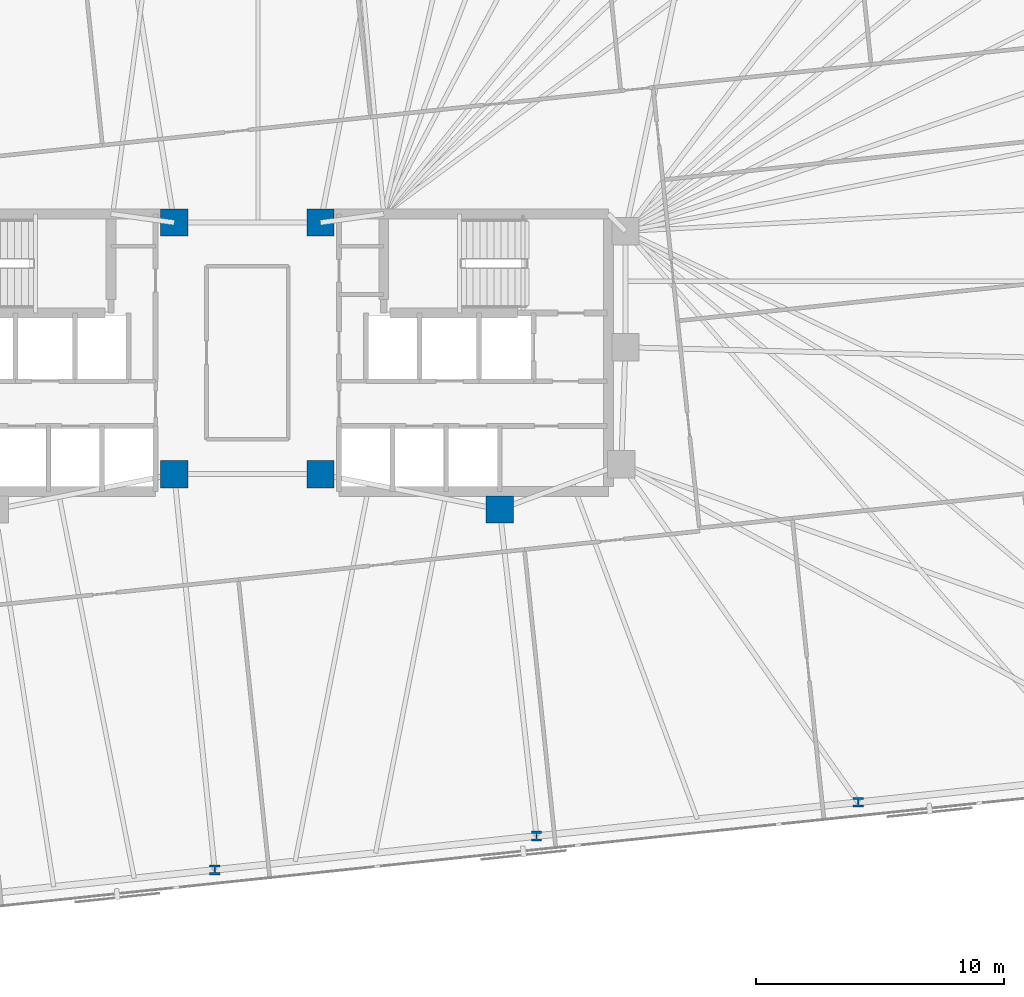
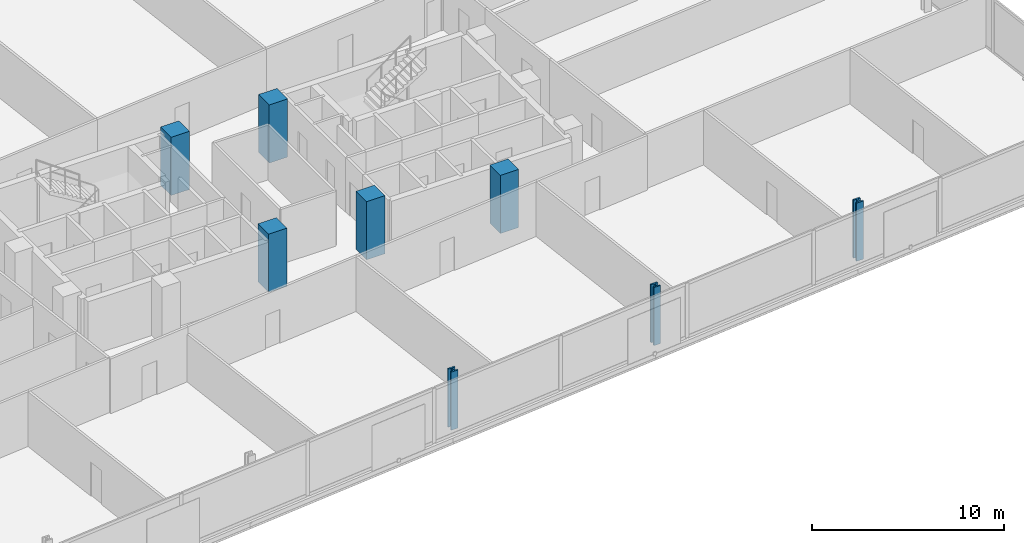
# One storey, part 3 of 18: 8 columns.
"""IFC4 building model written with IfcOpenShell, lengths in metres."""

from ifc_helpers import new_model, si_unit, direction, frame, origin, origin_2d, place, context, subcontext, project, spatial, rectangle, i_section, extrude, material, material_profile, profile_set, type_object, element, save


model = new_model("IFC4")

# Units and contexts
model_context = context("Model", 3, precision=1e-05, world=origin(), true_north=direction((0.0, 1.0)))
body_context = subcontext(model_context, "Body", "Model", "MODEL_VIEW")
ifc_project = project(units=[si_unit("LENGTHUNIT", "METRE"), si_unit("AREAUNIT", "SQUARE_METRE"), si_unit("VOLUMEUNIT", "CUBIC_METRE"), si_unit("PLANEANGLEUNIT", "RADIAN"), si_unit("MASSUNIT", "GRAM", prefix="KILO")], contexts=[model_context])

# Site, building, storey
site_placement = place(None, origin())
site = spatial("IfcSite", under=ifc_project, at=site_placement, CompositionType="ELEMENT")
building_placement = place(site_placement, origin())
building = spatial("IfcBuilding", under=site, at=building_placement, Name="Menara Jurai Vektor", CompositionType="ELEMENT")
storey_placement = place(building_placement, frame((0.0, 0.0, 120.699951171875)))
storey = spatial("IfcBuildingStorey", under=building, at=storey_placement, Name="L30", CompositionType="ELEMENT", Elevation=120.699951171875)

# Columns
ifc_material_1 = material(Name="Concrete C50/60", Category="concrete")
ifc_material_profile_1 = material_profile(ifc_material_1, rectangle(XDim=1.10009765625, YDim=1.10009765625, at=origin_2d()), Name="RC 1100x1100")
ifc_profile_set_1 = profile_set([ifc_material_profile_1], Name="Concrete C50/60")
column_type_1 = type_object("IfcColumnType", Name="STR-COL-RC1100", PredefinedType="COLUMN", material=ifc_profile_set_1)
for number, where, z_axis, x_axis, name in (
    (1, (-2.949951171875, -4.89990234375, 0.0), (0.0, 0.0, 1.0), (1.0, 0.0, 0.0), "Core Spine Column CW-SE L30"),
    (2, (-2.949951171875, 5.25, 0.0), (0.0, 0.0, 1.0), (1.0, 0.0, 0.0), "Core Spine Column CW-NE L30"),
    (3, (10.179931640625, -6.320068359375, 0.0), (0.0, 0.0, 1.0), (1.0, 0.0, 0.0), "Core Spine Column CE-SM L30"),
    (4, (2.949951171875, -4.89990234375, 0.0), (0.0, 0.0, 1.0), (1.0, 0.0, 0.0), "Core Spine Column CE-SW L30"),
    (5, (2.949951171875, 5.25, 0.0), (0.0, 0.0, 1.0), (1.0, 0.0, 0.0), "Core Spine Column CE-NW L30"),
):
    element("IfcColumn", number, at=place(storey_placement, frame(where, z_axis=z_axis, x_axis=x_axis)), inside=storey, type_object=column_type_1, Name=name, PredefinedType="COLUMN", context=body_context, shape_type="SweptSolid", body=[
        extrude(rectangle(XDim=1.10009765625, YDim=1.10009765625, at=origin_2d()), origin(), (0.0, 0.0, 1.0), 3.699951171875),
    ])
ifc_material_2 = material(Name="Steel S460", Category="steel")
ifc_material_profile_2 = material_profile(ifc_material_2, i_section(OverallWidth=0.4130859375, OverallDepth=0.39794921875, WebThickness=0.055908203125, FlangeThickness=0.089111328125, FilletRadius=0.014892578125, at=origin_2d()), Name="HD 400x744")
ifc_profile_set_2 = profile_set([ifc_material_profile_2], Name="Steel S460")
column_type_2 = type_object("IfcColumnType", Name="STR-EXO-BLK2", PredefinedType="COLUMN", material=ifc_profile_set_2)
for number, where, z_axis, x_axis, name in (
    (6, (-1.317138671875, -20.857666015625, 0.0), (0.0, 0.0, 1.0), (1.0, 0.0, 0.0), "Exoskeleton Column BLK2-S3 L30"),
    (7, (11.66259765625, -19.49365234375, 0.0), (0.0, 0.0, 1.0), (1.0, 0.0, 0.0), "Exoskeleton Column BLK2-S4 L30"),
    (8, (24.642333984375, -18.12939453125, 0.0), (0.0, 0.0, 1.0), (1.0, 0.0, 0.0), "Exoskeleton Column BLK2-S5 L30"),
):
    element("IfcColumn", number, at=place(storey_placement, frame(where, z_axis=z_axis, x_axis=x_axis)), inside=storey, type_object=column_type_2, Name=name, PredefinedType="COLUMN", context=body_context, shape_type="SweptSolid", body=[
        extrude(i_section(OverallWidth=0.4130859375, OverallDepth=0.39794921875, WebThickness=0.055908203125, FlangeThickness=0.089111328125, FilletRadius=0.014892578125, at=origin_2d()), origin(), (0.0, 0.0, 1.0), 3.699951171875),
    ])

save(model, "model.ifc")
